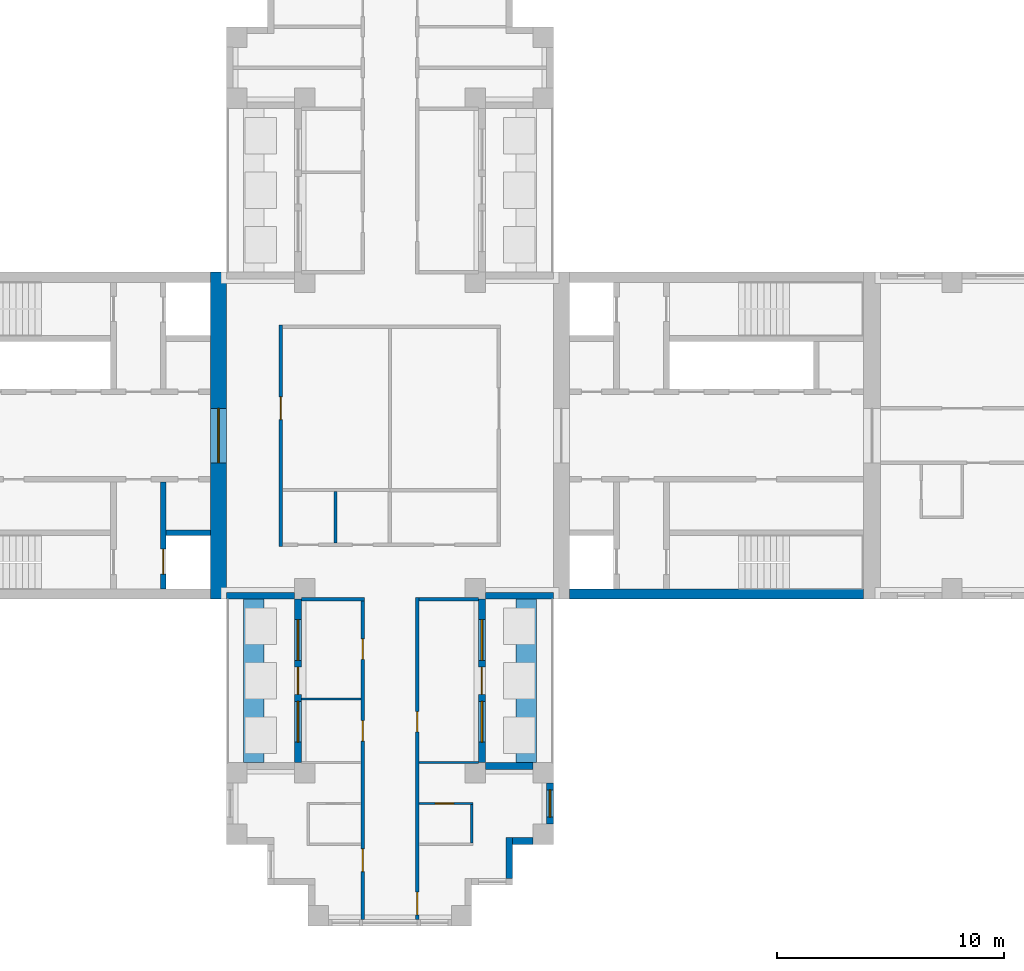
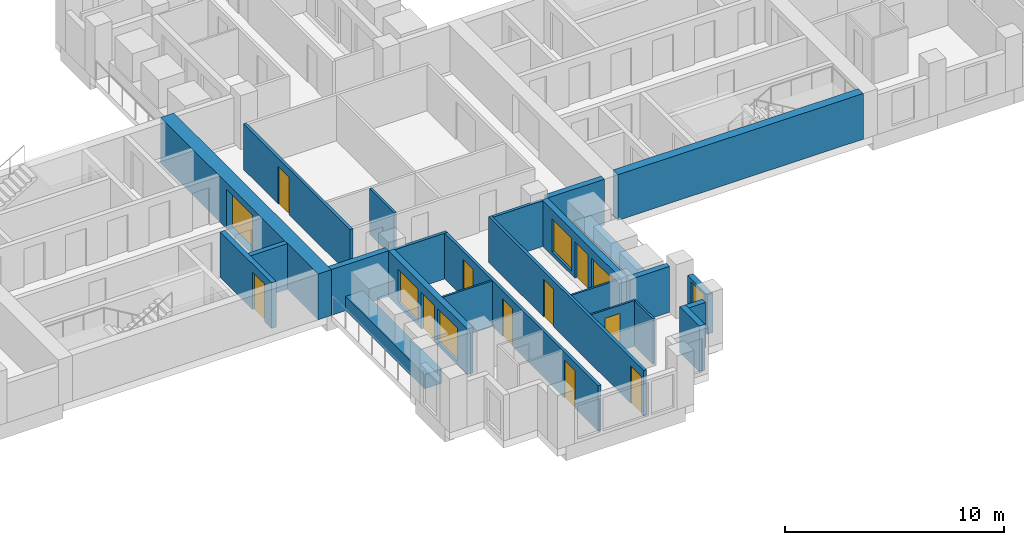
# One storey, part 5 of 12: 24 walls, 11 doors, 5 windows, 16 openings.
"""IFC4 building model written with IfcOpenShell, lengths in metres."""

from ifc_helpers import new_model, si_unit, direction, frame, frame_2d, origin, place, context, subcontext, project, spatial, rectangle, extrude, material, layer, layer_set, type_object, element, fill, save


model = new_model("IFC4")

# Units and contexts
model_context = context("Model", 3, precision=1e-05, world=origin(), true_north=direction((0.0, 1.0)))
body_context = subcontext(model_context, "Body", "Model", "MODEL_VIEW")
ifc_project = project(units=[si_unit("LENGTHUNIT", "METRE"), si_unit("AREAUNIT", "SQUARE_METRE"), si_unit("VOLUMEUNIT", "CUBIC_METRE"), si_unit("PLANEANGLEUNIT", "RADIAN"), si_unit("MASSUNIT", "GRAM", prefix="KILO")], contexts=[model_context])

# Site, building, storey
site_placement = place(None, origin())
site = spatial("IfcSite", under=ifc_project, at=site_placement, CompositionType="ELEMENT")
building_placement = place(site_placement, origin())
building = spatial("IfcBuilding", under=site, at=building_placement, Name="Fustian Cross Tower", CompositionType="ELEMENT")
storey_placement = place(building_placement, frame((0.0, 0.0, 159.300048828125)))
storey = spatial("IfcBuildingStorey", under=building, at=storey_placement, Name="L50", CompositionType="ELEMENT", Elevation=159.300048828125)

# Wall, opening, door
ifc_material_1 = material(Name="Plasterboard on steel stud", Category="steel")
ifc_layer_1 = layer(ifc_material_1, 0.14990234375)
ifc_layer_set_1 = layer_set([ifc_layer_1], Name="Plasterboard on steel stud")
wall_type_1 = type_object("IfcWallType", Name="COMPARTMENT WALL 150 EI 60", PredefinedType="PARTITIONING", material=ifc_layer_set_1)
wall_1_placement = place(storey_placement, frame((-4.800048828125, -4.875, 0.0), z_axis=(0.0, 0.0, 1.0), x_axis=(0.0, 1.0, 0.0)))
wall_1 = element("IfcWall", 1, at=wall_1_placement, inside=storey, type_object=wall_type_1, Name="Partition 12", PredefinedType="PARTITIONING", context=body_context, shape_type="SweptSolid", body=[
    extrude(rectangle(XDim=9.75, YDim=0.14990234375, at=frame_2d((4.875, 0.0))), origin(), (0.0, 0.0, 1.0), 2.550048828125),
])
opening_1_placement = place(wall_1_placement, frame((5.574951171875, 0.0, 0.0)))
opening_1 = element("IfcOpeningElement", 2, at=opening_1_placement, cuts=wall_1, Name="Opening D22004", PredefinedType="OPENING", context=body_context, shape_type="SweptSolid", body=[
    extrude(rectangle(XDim=1.0, YDim=2.10009765625, at=frame_2d((0.5, 1.050048828125))), frame((0.0, 0.0849609375, 0.0), z_axis=(0.0, -1.0, 0.0), x_axis=(1.0, 0.0, 0.0)), (0.0, 0.0, 1.0), 0.169921875),
])
ifc_material_2 = material(Name="Timber fire door set", Category="wood")
door_type_1 = type_object("IfcDoorType", Name="FIRE SWING DOOR 1000 FD30S", OperationType="SINGLE_SWING_LEFT", PredefinedType="DOOR", material=ifc_material_2)
door_1_placement = place(opening_1_placement, frame((1.0, 0.0, 0.0), z_axis=(0.0, 0.0, 1.0), x_axis=(-1.0, 0.0, 0.0)))
door_1 = element("IfcDoor", 3, at=door_1_placement, inside=storey, type_object=door_type_1, Name="Door D22004", OperationType="SINGLE_SWING_RIGHT", OverallHeight=2.10009765625, OverallWidth=1.0, PredefinedType="DOOR", context=body_context, shape_type="SweptSolid", body=[
    extrude(rectangle(XDim=1.0, YDim=2.10009765625, at=frame_2d((0.5, 1.050048828125))), frame((0.0, 0.02490234375, 0.0), z_axis=(0.0, -1.0, 0.0), x_axis=(1.0, 0.0, 0.0)), (0.0, 0.0, 1.0), 0.050048828125),
])
fill(opening_1, door_1)

# Wall
wall_2_placement = place(storey_placement, frame((-3.89990234375, -7.199951171875, 0.0), z_axis=(0.0, 0.0, 1.0), x_axis=(1.0, 0.0, 0.0)))
element("IfcWall", 4, at=wall_2_placement, inside=storey, type_object=wall_type_1, Name="Partition 18", PredefinedType="PARTITIONING", context=body_context, shape_type="SweptSolid", body=[
    extrude(rectangle(XDim=2.77490234375, YDim=0.14990234375, at=frame_2d((1.387451171875, 0.0))), origin(), (0.0, 0.0, 1.0), 2.550048828125),
])

# Wall, openings, doors
wall_3_placement = place(storey_placement, frame((-1.199951171875, -21.300048828125, 0.0), z_axis=(0.0, 0.0, 1.0), x_axis=(0.0, 1.0, 0.0)))
wall_3 = element("IfcWall", 5, at=wall_3_placement, inside=storey, type_object=wall_type_1, Name="Partition 27", PredefinedType="PARTITIONING", context=body_context, shape_type="SweptSolid", body=[
    extrude(rectangle(XDim=14.025146484375, YDim=0.14990234375, at=frame_2d((7.0126953125, 0.0))), origin(), (0.0, 0.0, 1.0), 2.550048828125),
])
opening_2_placement = place(wall_3_placement, frame((7.85009765625, 0.0, 0.0)))
opening_2 = element("IfcOpeningElement", 6, at=opening_2_placement, cuts=wall_3, Name="Opening D22036", PredefinedType="OPENING", context=body_context, shape_type="SweptSolid", body=[
    extrude(rectangle(XDim=0.89990234375, YDim=2.10009765625, at=frame_2d((0.449951171875, 1.050048828125))), frame((0.0, 0.0849609375, 0.0), z_axis=(0.0, -1.0, 0.0), x_axis=(1.0, 0.0, 0.0)), (0.0, 0.0, 1.0), 0.169921875),
])
opening_3_placement = place(wall_3_placement, frame((11.449951171875, 0.0, 0.0)))
opening_3 = element("IfcOpeningElement", 7, at=opening_3_placement, cuts=wall_3, Name="Opening D22037", PredefinedType="OPENING", context=body_context, shape_type="SweptSolid", body=[
    extrude(rectangle(XDim=0.89990234375, YDim=2.10009765625, at=frame_2d((0.449951171875, 1.050048828125))), frame((0.0, 0.0849609375, 0.0), z_axis=(0.0, -1.0, 0.0), x_axis=(1.0, 0.0, 0.0)), (0.0, 0.0, 1.0), 0.169921875),
])
opening_4_placement = place(wall_3_placement, frame((2.10009765625, 0.0, 0.0)))
opening_4 = element("IfcOpeningElement", 8, at=opening_4_placement, cuts=wall_3, Name="Opening D22039", PredefinedType="OPENING", context=body_context, shape_type="SweptSolid", body=[
    extrude(rectangle(XDim=1.0, YDim=2.10009765625, at=frame_2d((0.5, 1.050048828125))), frame((0.0, 0.0849609375, 0.0), z_axis=(0.0, -1.0, 0.0), x_axis=(1.0, 0.0, 0.0)), (0.0, 0.0, 1.0), 0.169921875),
])
door_2_placement = place(opening_4_placement, origin())
door_2 = element("IfcDoor", 9, at=door_2_placement, inside=storey, type_object=door_type_1, Name="Door D22039", OperationType="SINGLE_SWING_RIGHT", OverallHeight=2.10009765625, OverallWidth=1.0, PredefinedType="DOOR", context=body_context, shape_type="SweptSolid", body=[
    extrude(rectangle(XDim=1.0, YDim=2.10009765625, at=frame_2d((0.5, 1.050048828125))), frame((0.0, 0.02490234375, 0.0), z_axis=(0.0, -1.0, 0.0), x_axis=(1.0, 0.0, 0.0)), (0.0, 0.0, 1.0), 0.050048828125),
])
fill(opening_4, door_2)
ifc_material_3 = material(Name="Timber fire door set", Category="wood")
door_type_2 = type_object("IfcDoorType", Name="FIRE SWING DOOR 900 FD30S", OperationType="SINGLE_SWING_LEFT", PredefinedType="DOOR", material=ifc_material_3)
door_3_placement = place(opening_2_placement, origin())
door_3 = element("IfcDoor", 10, at=door_3_placement, inside=storey, type_object=door_type_2, Name="Door D22036", OperationType="SINGLE_SWING_LEFT", OverallHeight=2.10009765625, OverallWidth=0.89990234375, PredefinedType="DOOR", context=body_context, shape_type="SweptSolid", body=[
    extrude(rectangle(XDim=0.89990234375, YDim=2.10009765625, at=frame_2d((0.449951171875, 1.050048828125))), frame((0.0, 0.02490234375, 0.0), z_axis=(0.0, -1.0, 0.0), x_axis=(1.0, 0.0, 0.0)), (0.0, 0.0, 1.0), 0.050048828125),
])
fill(opening_2, door_3)
door_4_placement = place(opening_3_placement, origin())
door_4 = element("IfcDoor", 11, at=door_4_placement, inside=storey, type_object=door_type_2, Name="Door D22037", OperationType="SINGLE_SWING_LEFT", OverallHeight=2.10009765625, OverallWidth=0.89990234375, PredefinedType="DOOR", context=body_context, shape_type="SweptSolid", body=[
    extrude(rectangle(XDim=0.89990234375, YDim=2.10009765625, at=frame_2d((0.449951171875, 1.050048828125))), frame((0.0, 0.02490234375, 0.0), z_axis=(0.0, -1.0, 0.0), x_axis=(1.0, 0.0, 0.0)), (0.0, 0.0, 1.0), 0.050048828125),
])
fill(opening_3, door_4)

wall_4_placement = place(storey_placement, frame((1.199951171875, -21.300048828125, 0.0), z_axis=(0.0, 0.0, 1.0), x_axis=(0.0, 1.0, 0.0)))
wall_4 = element("IfcWall", 12, at=wall_4_placement, inside=storey, type_object=wall_type_1, Name="Partition 32", PredefinedType="PARTITIONING", context=body_context, shape_type="SweptSolid", body=[
    extrude(rectangle(XDim=14.175048828125, YDim=0.14990234375, at=frame_2d((7.08740234375, 0.0))), origin(), (0.0, 0.0, 1.0), 2.550048828125),
])
opening_5_placement = place(wall_4_placement, frame((8.25, 0.0, 0.0)))
opening_5 = element("IfcOpeningElement", 13, at=opening_5_placement, cuts=wall_4, Name="Opening D22033", PredefinedType="OPENING", context=body_context, shape_type="SweptSolid", body=[
    extrude(rectangle(XDim=0.89990234375, YDim=2.10009765625, at=frame_2d((0.449951171875, 1.050048828125))), frame((0.0, 0.0849609375, 0.0), z_axis=(0.0, -1.0, 0.0), x_axis=(1.0, 0.0, 0.0)), (0.0, 0.0, 1.0), 0.169921875),
])
opening_6_placement = place(wall_4_placement, frame((0.199951171875, 0.0, 0.0)))
opening_6 = element("IfcOpeningElement", 14, at=opening_6_placement, cuts=wall_4, Name="Opening D22035", PredefinedType="OPENING", context=body_context, shape_type="SweptSolid", body=[
    extrude(rectangle(XDim=1.0, YDim=2.10009765625, at=frame_2d((0.5, 1.050048828125))), frame((0.0, 0.0849609375, 0.0), z_axis=(0.0, -1.0, 0.0), x_axis=(1.0, 0.0, 0.0)), (0.0, 0.0, 1.0), 0.169921875),
])
door_5_placement = place(opening_6_placement, frame((1.0, 0.0, 0.0), z_axis=(0.0, 0.0, 1.0), x_axis=(-1.0, 0.0, 0.0)))
door_5 = element("IfcDoor", 15, at=door_5_placement, inside=storey, type_object=door_type_1, Name="Door D22035", OperationType="SINGLE_SWING_RIGHT", OverallHeight=2.10009765625, OverallWidth=1.0, PredefinedType="DOOR", context=body_context, shape_type="SweptSolid", body=[
    extrude(rectangle(XDim=1.0, YDim=2.10009765625, at=frame_2d((0.5, 1.050048828125))), frame((0.0, 0.02490234375, 0.0), z_axis=(0.0, -1.0, 0.0), x_axis=(1.0, 0.0, 0.0)), (0.0, 0.0, 1.0), 0.050048828125),
])
fill(opening_6, door_5)
door_6_placement = place(opening_5_placement, frame((0.89990234375, 0.0, 0.0), z_axis=(0.0, 0.0, 1.0), x_axis=(-1.0, 0.0, 0.0)))
door_6 = element("IfcDoor", 16, at=door_6_placement, inside=storey, type_object=door_type_2, Name="Door D22033", OperationType="SINGLE_SWING_RIGHT", OverallHeight=2.10009765625, OverallWidth=0.89990234375, PredefinedType="DOOR", context=body_context, shape_type="SweptSolid", body=[
    extrude(rectangle(XDim=0.89990234375, YDim=2.10009765625, at=frame_2d((0.449951171875, 1.050048828125))), frame((0.0, 0.02490234375, 0.0), z_axis=(0.0, -1.0, 0.0), x_axis=(1.0, 0.0, 0.0)), (0.0, 0.0, 1.0), 0.050048828125),
])
fill(opening_5, door_6)

# Wall
wall_5_placement = place(storey_placement, frame((1.27490234375, -7.199951171875, 0.0), z_axis=(0.0, 0.0, 1.0), x_axis=(1.0, 0.0, 0.0)))
element("IfcWall", 17, at=wall_5_placement, inside=storey, type_object=wall_type_1, Name="Partition 36", PredefinedType="PARTITIONING", context=body_context, shape_type="SweptSolid", body=[
    extrude(rectangle(XDim=2.625, YDim=0.14990234375, at=frame_2d((1.3125, 0.0))), origin(), (0.0, 0.0, 1.0), 2.550048828125),
])

# Wall, opening, door
ifc_material_4 = material(Name="Concrete C60/75", Category="concrete")
ifc_layer_2 = layer(ifc_material_4, 0.699951171875)
ifc_layer_set_2 = layer_set([ifc_layer_2], Name="Concrete C60/75")
wall_type_2 = type_object("IfcWallType", Name="CORE END WALL 700 C60/75", PredefinedType="SHEAR", material=ifc_layer_set_2)
wall_6_placement = place(storey_placement, frame((-7.550048828125, -7.199951171875, 0.0), z_axis=(0.0, 0.0, 1.0), x_axis=(0.0, 1.0, 0.0)))
wall_6 = element("IfcWall", 18, at=wall_6_placement, inside=storey, type_object=wall_type_2, Name="Core end wall", PredefinedType="SHEAR", context=body_context, shape_type="SweptSolid", body=[
    extrude(rectangle(XDim=14.39990234375, YDim=0.699951171875, at=frame_2d((7.199951171875, 0.0))), origin(), (0.0, 0.0, 1.0), 2.550048828125),
])
opening_7_placement = place(wall_6_placement, frame((6.0, 0.0, 0.0)))
opening_7 = element("IfcOpeningElement", 19, at=opening_7_placement, cuts=wall_6, Name="Opening CD-19-27", PredefinedType="OPENING", context=body_context, shape_type="SweptSolid", body=[
    extrude(rectangle(XDim=2.39990234375, YDim=2.199951171875, at=frame_2d((1.199951171875, 1.10009765625))), frame((0.0, 0.35986328125, 0.0), z_axis=(0.0, -1.0, 0.0), x_axis=(1.0, 0.0, 0.0)), (0.0, 0.0, 1.0), 0.719970703125),
])
ifc_material_5 = material(Name="Steel", Category="steel")
door_type_3 = type_object("IfcDoorType", Name="FIRE DOOR FD30S DOUBLE 2400X2200", OperationType="DOUBLE_DOOR_DOUBLE_SWING", PredefinedType="DOOR", material=ifc_material_5)
door_7_placement = place(opening_7_placement, origin())
door_7 = element("IfcDoor", 20, at=door_7_placement, inside=storey, type_object=door_type_3, Name="Core door CD-19-27", OperationType="DOUBLE_DOOR_DOUBLE_SWING", OverallHeight=2.199951171875, OverallWidth=2.39990234375, PredefinedType="DOOR", context=body_context, shape_type="SweptSolid", body=[
    extrude(rectangle(XDim=2.39990234375, YDim=2.199951171875, at=frame_2d((1.199951171875, 1.10009765625))), frame((0.0, 0.02490234375, 0.0), z_axis=(0.0, -1.0, 0.0), x_axis=(1.0, 0.0, 0.0)), (0.0, 0.0, 1.0), 0.050048828125),
])
fill(opening_7, door_7)

# Walls
ifc_material_6 = material(Name="Concrete C60/75", Category="concrete")
ifc_layer_3 = layer(ifc_material_6, 0.449951171875)
ifc_layer_set_3 = layer_set([ifc_layer_3], Name="Concrete C60/75")
wall_type_3 = type_object("IfcWallType", Name="CORE FACADE WALL 450 C60/75", PredefinedType="SHEAR", material=ifc_layer_set_3)
wall_7_placement = place(storey_placement, frame((7.89990234375, -6.97509765625, 0.0), z_axis=(0.0, 0.0, 1.0), x_axis=(1.0, 0.0, 0.0)))
element("IfcWall", 21, at=wall_7_placement, inside=storey, type_object=wall_type_3, Name="Core facade wall", PredefinedType="SHEAR", context=body_context, shape_type="SweptSolid", body=[
    extrude(rectangle(XDim=12.9501953125, YDim=0.449951171875, at=frame_2d((6.47509765625, 0.0))), origin(), (0.0, 0.0, 1.0), 2.550048828125),
])
ifc_material_7 = material(Name="Concrete C50/60", Category="concrete")
ifc_layer_4 = layer(ifc_material_7, 0.25)
ifc_layer_set_4 = layer_set([ifc_layer_4], Name="Concrete C50/60")
wall_type_4 = type_object("IfcWallType", Name="CORE SHAFT WALL 250 C50/60", PredefinedType="SHEAR", material=ifc_layer_set_4)
wall_8_placement = place(storey_placement, frame((-7.89990234375, -4.27490234375, 0.0), z_axis=(0.0, 0.0, 1.0), x_axis=(-1.0, 0.0, 0.0)))
element("IfcWall", 22, at=wall_8_placement, inside=storey, type_object=wall_type_4, Name="Core shaft wall", PredefinedType="SHEAR", context=body_context, shape_type="SweptSolid", body=[
    extrude(rectangle(XDim=1.9501953125, YDim=0.25, at=frame_2d((0.97509765625, 0.0))), origin(), (0.0, 0.0, 1.0), 2.550048828125),
])

# Wall, opening, door
wall_9_placement = place(storey_placement, frame((-9.97509765625, -2.050048828125, 0.0), z_axis=(0.0, 0.0, 1.0), x_axis=(0.0, -1.0, 0.0)))
wall_9 = element("IfcWall", 23, at=wall_9_placement, inside=storey, type_object=wall_type_4, Name="Core shaft wall", PredefinedType="SHEAR", context=body_context, shape_type="SweptSolid", body=[
    extrude(rectangle(XDim=4.699951171875, YDim=0.25, at=frame_2d((2.35009765625, 0.0))), origin(), (0.0, 0.0, 1.0), 2.550048828125),
])
opening_8_placement = place(wall_9_placement, frame((2.949951171875, 0.0, 0.0)))
opening_8 = element("IfcOpeningElement", 24, at=opening_8_placement, cuts=wall_9, Name="Opening LD", PredefinedType="OPENING", context=body_context, shape_type="SweptSolid", body=[
    extrude(rectangle(XDim=1.10009765625, YDim=2.10009765625, at=frame_2d((0.550048828125, 1.050048828125))), frame((0.0, 0.135009765625, 0.0), z_axis=(0.0, -1.0, 0.0), x_axis=(1.0, 0.0, 0.0)), (0.0, 0.0, 1.0), 0.27001953125),
])
ifc_material_8 = material(Name="Stainless steel", Category="steel")
door_type_4 = type_object("IfcDoorType", Name="LIFT LANDING DOOR 1100X2100", OperationType="SLIDING_TO_LEFT", PredefinedType="DOOR", material=ifc_material_8)
door_8_placement = place(opening_8_placement, origin())
door_8 = element("IfcDoor", 25, at=door_8_placement, inside=storey, type_object=door_type_4, Name="Landing door SV1W", OperationType="SLIDING_TO_LEFT", OverallHeight=2.10009765625, OverallWidth=1.10009765625, PredefinedType="DOOR", context=body_context, shape_type="SweptSolid", body=[
    extrude(rectangle(XDim=1.10009765625, YDim=2.10009765625, at=frame_2d((0.550048828125, 1.050048828125))), frame((0.0, 0.02490234375, 0.0), z_axis=(0.0, -1.0, 0.0), x_axis=(1.0, 0.0, 0.0)), (0.0, 0.0, 1.0), 0.050048828125),
])
fill(opening_8, door_8)

# Wall
ifc_material_9 = material(Name="Plasterboard on steel stud", Category="steel")
ifc_layer_5 = layer(ifc_material_9, 0.10009765625)
ifc_layer_set_5 = layer_set([ifc_layer_5], Name="Plasterboard on steel stud")
wall_type_5 = type_object("IfcWallType", Name="PARTITION 100 STUD", PredefinedType="PARTITIONING", material=ifc_layer_set_5)
wall_10_placement = place(storey_placement, frame((-3.89990234375, -11.60009765625, 0.0), z_axis=(0.0, 0.0, 1.0), x_axis=(1.0, 0.0, 0.0)))
element("IfcWall", 26, at=wall_10_placement, inside=storey, type_object=wall_type_5, Name="Partition 17", PredefinedType="PARTITIONING", context=body_context, shape_type="SweptSolid", body=[
    extrude(rectangle(XDim=2.625, YDim=0.10009765625, at=frame_2d((1.3125, 0.0))), origin(), (0.0, 0.0, 1.0), 2.550048828125),
])

# Wall, opening, door
wall_11_placement = place(storey_placement, frame((1.27490234375, -16.199951171875, 0.0), z_axis=(0.0, 0.0, 1.0), x_axis=(1.0, 0.0, 0.0)))
wall_11 = element("IfcWall", 27, at=wall_11_placement, inside=storey, type_object=wall_type_5, Name="Partition 34", PredefinedType="PARTITIONING", context=body_context, shape_type="SweptSolid", body=[
    extrude(rectangle(XDim=2.375, YDim=0.10009765625, at=frame_2d((1.1875, 0.0))), origin(), (0.0, 0.0, 1.0), 2.550048828125),
])
opening_9_placement = place(wall_11_placement, frame((0.72509765625, 0.0, 0.0)))
opening_9 = element("IfcOpeningElement", 28, at=opening_9_placement, cuts=wall_11, Name="Opening D22034", PredefinedType="OPENING", context=body_context, shape_type="SweptSolid", body=[
    extrude(rectangle(XDim=0.800048828125, YDim=2.10009765625, at=frame_2d((0.39990234375, 1.050048828125))), frame((0.0, 0.06005859375, 0.0), z_axis=(0.0, -1.0, 0.0), x_axis=(1.0, 0.0, 0.0)), (0.0, 0.0, 1.0), 0.1201171875),
])
ifc_material_10 = material(Name="Painted timber", Category="wood")
door_type_5 = type_object("IfcDoorType", Name="SWING DOOR 800", OperationType="SINGLE_SWING_LEFT", PredefinedType="DOOR", material=ifc_material_10)
door_9_placement = place(opening_9_placement, frame((0.800048828125, 0.0, 0.0), z_axis=(0.0, 0.0, 1.0), x_axis=(-1.0, 0.0, 0.0)))
door_9 = element("IfcDoor", 29, at=door_9_placement, inside=storey, type_object=door_type_5, Name="Door D22034", OperationType="SINGLE_SWING_RIGHT", OverallHeight=2.10009765625, OverallWidth=0.800048828125, PredefinedType="DOOR", context=body_context, shape_type="SweptSolid", body=[
    extrude(rectangle(XDim=0.800048828125, YDim=2.10009765625, at=frame_2d((0.39990234375, 1.050048828125))), frame((0.0, 0.02490234375, 0.0), z_axis=(0.0, -1.0, 0.0), x_axis=(1.0, 0.0, 0.0)), (0.0, 0.0, 1.0), 0.050048828125),
])
fill(opening_9, door_9)

# Walls
wall_12_placement = place(storey_placement, frame((1.27490234375, -14.39990234375, 0.0), z_axis=(0.0, 0.0, 1.0), x_axis=(1.0, 0.0, 0.0)))
element("IfcWall", 30, at=wall_12_placement, inside=storey, type_object=wall_type_5, Name="Partition 35", PredefinedType="PARTITIONING", context=body_context, shape_type="SweptSolid", body=[
    extrude(rectangle(XDim=2.625, YDim=0.10009765625, at=frame_2d((1.3125, 0.0))), origin(), (0.0, 0.0, 1.0), 2.550048828125),
])
wall_13_placement = place(storey_placement, frame((3.60009765625, -17.949951171875, 0.0), z_axis=(0.0, 0.0, 1.0), x_axis=(0.0, 1.0, 0.0)))
element("IfcWall", 31, at=wall_13_placement, inside=storey, type_object=wall_type_5, Name="Partition 43", PredefinedType="PARTITIONING", context=body_context, shape_type="SweptSolid", body=[
    extrude(rectangle(XDim=1.699951171875, YDim=0.10009765625, at=frame_2d((0.85009765625, 0.0))), origin(), (0.0, 0.0, 1.0), 2.550048828125),
])
ifc_material_11 = material(Name="Concrete C40/50", Category="concrete")
ifc_layer_6 = layer(ifc_material_11, 0.89990234375)
ifc_layer_set_6 = layer_set([ifc_layer_6], Name="Concrete C40/50")
wall_type_6 = type_object("IfcWallType", Name="PK1 PLANTER 900", PredefinedType="PARAPET", material=ifc_layer_set_6)
for number, where, z_axis, x_axis, name in (
    (32, (6.0, -14.39990234375, 0.0), (0.0, 0.0, 1.0), (0.0, 1.0, 0.0), "PLANTER"),
    (33, (-6.0, -14.39990234375, 0.0), (0.0, 0.0, 1.0), (0.0, 1.0, 0.0), "PLANTER"),
):
    element("IfcWall", number, at=place(storey_placement, frame(where, z_axis=z_axis, x_axis=x_axis)), inside=storey, type_object=wall_type_6, Name=name, PredefinedType="PARAPET", context=body_context, shape_type="SweptSolid", body=[
        extrude(rectangle(XDim=7.199951171875, YDim=0.89990234375, at=frame_2d((3.60009765625, 0.0))), origin(), (0.0, 0.0, 1.0), 0.800048828125),
    ])
ifc_material_12 = material(Name="Plasterboard on steel stud", Category="steel")
ifc_layer_7 = layer(ifc_material_12, 0.125)
ifc_layer_set_7 = layer_set([ifc_layer_7], Name="Plasterboard on steel stud")
wall_type_7 = type_object("IfcWallType", Name="WET WALL 125 STUD", PredefinedType="PARTITIONING", material=ifc_layer_set_7)
wall_14_placement = place(storey_placement, frame((-2.39990234375, -4.72509765625, 0.0), z_axis=(0.0, 0.0, 1.0), x_axis=(0.0, 1.0, 0.0)))
element("IfcWall", 34, at=wall_14_placement, inside=storey, type_object=wall_type_7, Name="Partition 26", PredefinedType="PARTITIONING", context=body_context, shape_type="SweptSolid", body=[
    extrude(rectangle(XDim=2.2626953125, YDim=0.125, at=frame_2d((1.13134765625, 0.0))), origin(), (0.0, 0.0, 1.0), 2.550048828125),
])
ifc_material_13 = material(Name="Dark aluminium cladding on insulated backing wall", Category="aluminium")
ifc_layer_8 = layer(ifc_material_13, 0.300048828125)
ifc_layer_set_8 = layer_set([ifc_layer_8], Name="Dark aluminium cladding on insulated backing wall")
wall_type_8 = type_object("IfcWallType", Name="XW1 EXTERNAL WALL 300", PredefinedType="SOLIDWALL", material=ifc_layer_set_8)
wall_15_placement = place(storey_placement, frame((-7.199951171875, -7.050048828125, 0.0), z_axis=(0.0, 0.0, 1.0), x_axis=(1.0, 0.0, 0.0)))
element("IfcWall", 35, at=wall_15_placement, inside=storey, type_object=wall_type_8, Name="External wall", PredefinedType="SOLIDWALL", context=body_context, shape_type="SweptSolid", body=[
    extrude(rectangle(XDim=3.0, YDim=0.300048828125, at=frame_2d((1.5, 0.0))), origin(), (0.0, 0.0, 1.0), 2.550048828125),
])

# Wall, openings, door, windows
wall_16_placement = place(storey_placement, frame((-4.050048828125, -7.199951171875, 0.0), z_axis=(0.0, 0.0, 1.0), x_axis=(0.0, -1.0, 0.0)))
wall_16 = element("IfcWall", 36, at=wall_16_placement, inside=storey, type_object=wall_type_8, Name="External wall", PredefinedType="SOLIDWALL", context=body_context, shape_type="SweptSolid", body=[
    extrude(rectangle(XDim=7.199951171875, YDim=0.300048828125, at=frame_2d((3.60009765625, 0.0))), origin(), (0.0, 0.0, 1.0), 2.550048828125),
])
opening_10_placement = place(wall_16_placement, frame((3.0, 0.0, 0.0)))
opening_10 = element("IfcOpeningElement", 37, at=opening_10_placement, cuts=wall_16, Name="Opening XD4", PredefinedType="OPENING", context=body_context, shape_type="SweptSolid", body=[
    extrude(rectangle(XDim=1.199951171875, YDim=2.050048828125, at=frame_2d((0.60009765625, 1.02490234375))), frame((0.0, 0.159912109375, 0.0), z_axis=(0.0, -1.0, 0.0), x_axis=(1.0, 0.0, 0.0)), (0.0, 0.0, 1.0), 0.320068359375),
])
opening_11_placement = place(wall_16_placement, frame((0.89990234375, 0.0, 0.199951171875)))
opening_11 = element("IfcOpeningElement", 38, at=opening_11_placement, cuts=wall_16, Name="Opening WN2", PredefinedType="OPENING", context=body_context, shape_type="SweptSolid", body=[
    extrude(rectangle(XDim=1.800048828125, YDim=1.85009765625, at=frame_2d((0.89990234375, 0.925048828125))), frame((0.0, 0.159912109375, 0.0), z_axis=(0.0, -1.0, 0.0), x_axis=(1.0, 0.0, 0.0)), (0.0, 0.0, 1.0), 0.320068359375),
])
opening_12_placement = place(wall_16_placement, frame((4.5, 0.0, 0.199951171875)))
opening_12 = element("IfcOpeningElement", 39, at=opening_12_placement, cuts=wall_16, Name="Opening WN2", PredefinedType="OPENING", context=body_context, shape_type="SweptSolid", body=[
    extrude(rectangle(XDim=1.800048828125, YDim=1.85009765625, at=frame_2d((0.89990234375, 0.925048828125))), frame((0.0, 0.159912109375, 0.0), z_axis=(0.0, -1.0, 0.0), x_axis=(1.0, 0.0, 0.0)), (0.0, 0.0, 1.0), 0.320068359375),
])
ifc_material_14 = material(Name="Dark anodised aluminium and double glazing", Category="aluminium")
door_type_6 = type_object("IfcDoorType", Name="ED1 BALCONY DOOR 1200X2050", OperationType="SINGLE_SWING_LEFT", PredefinedType="DOOR", material=ifc_material_14)
door_10_placement = place(opening_10_placement, origin())
door_10 = element("IfcDoor", 40, at=door_10_placement, inside=storey, type_object=door_type_6, Name="Balcony door", OperationType="SINGLE_SWING_LEFT", OverallHeight=2.050048828125, OverallWidth=1.199951171875, PredefinedType="DOOR", context=body_context, shape_type="SweptSolid", body=[
    extrude(rectangle(XDim=1.199951171875, YDim=2.050048828125, at=frame_2d((0.60009765625, 1.02490234375))), frame((0.0, 0.02490234375, 0.0), z_axis=(0.0, -1.0, 0.0), x_axis=(1.0, 0.0, 0.0)), (0.0, 0.0, 1.0), 0.050048828125),
])
fill(opening_10, door_10)
ifc_material_15 = material(Name="Dark anodised aluminium and double glazing", Category="aluminium")
window_type_1 = type_object("IfcWindowType", Name="WN2 WINDOW 1800X1850", PartitioningType="SINGLE_PANEL", PredefinedType="WINDOW", material=ifc_material_15)
window_1_placement = place(opening_11_placement, origin())
window_1 = element("IfcWindow", 41, at=window_1_placement, inside=storey, type_object=window_type_1, Name="Window", OverallHeight=1.85009765625, OverallWidth=1.800048828125, PartitioningType="SINGLE_PANEL", PredefinedType="WINDOW", context=body_context, shape_type="SweptSolid", body=[
    extrude(rectangle(XDim=1.800048828125, YDim=1.85009765625, at=frame_2d((0.89990234375, 0.925048828125))), frame((0.0, 0.030029296875, 0.0), z_axis=(0.0, -1.0, 0.0), x_axis=(1.0, 0.0, 0.0)), (0.0, 0.0, 1.0), 0.06005859375),
])
fill(opening_11, window_1)
window_2_placement = place(opening_12_placement, origin())
window_2 = element("IfcWindow", 42, at=window_2_placement, inside=storey, type_object=window_type_1, Name="Window", OverallHeight=1.85009765625, OverallWidth=1.800048828125, PartitioningType="SINGLE_PANEL", PredefinedType="WINDOW", context=body_context, shape_type="SweptSolid", body=[
    extrude(rectangle(XDim=1.800048828125, YDim=1.85009765625, at=frame_2d((0.89990234375, 0.925048828125))), frame((0.0, 0.030029296875, 0.0), z_axis=(0.0, -1.0, 0.0), x_axis=(1.0, 0.0, 0.0)), (0.0, 0.0, 1.0), 0.06005859375),
])
fill(opening_12, window_2)

# Walls
wall_17_placement = place(storey_placement, frame((5.25, -19.5, 0.0), z_axis=(0.0, 0.0, 1.0), x_axis=(0.0, 1.0, 0.0)))
element("IfcWall", 43, at=wall_17_placement, inside=storey, type_object=wall_type_8, Name="External wall", PredefinedType="SOLIDWALL", context=body_context, shape_type="SweptSolid", body=[
    extrude(rectangle(XDim=1.800048828125, YDim=0.300048828125, at=frame_2d((0.89990234375, 0.0))), origin(), (0.0, 0.0, 1.0), 2.550048828125),
])
wall_18_placement = place(storey_placement, frame((5.39990234375, -17.85009765625, 0.0), z_axis=(0.0, 0.0, 1.0), x_axis=(1.0, 0.0, 0.0)))
element("IfcWall", 44, at=wall_18_placement, inside=storey, type_object=wall_type_8, Name="External wall", PredefinedType="SOLIDWALL", context=body_context, shape_type="SweptSolid", body=[
    extrude(rectangle(XDim=0.900146484375, YDim=0.300048828125, at=frame_2d((0.4501953125, 0.0))), origin(), (0.0, 0.0, 1.0), 2.550048828125),
])

# Wall, opening, window
wall_19_placement = place(storey_placement, frame((7.050048828125, -17.10009765625, 0.0), z_axis=(0.0, 0.0, 1.0), x_axis=(0.0, 1.0, 0.0)))
wall_19 = element("IfcWall", 45, at=wall_19_placement, inside=storey, type_object=wall_type_8, Name="External wall", PredefinedType="SOLIDWALL", context=body_context, shape_type="SweptSolid", body=[
    extrude(rectangle(XDim=1.800048828125, YDim=0.300048828125, at=frame_2d((0.89990234375, 0.0))), origin(), (0.0, 0.0, 1.0), 2.199951171875),
])
opening_13_placement = place(wall_19_placement, frame((0.300048828125, 0.0, 0.199951171875)))
opening_13 = element("IfcOpeningElement", 46, at=opening_13_placement, cuts=wall_19, Name="Opening WN3", PredefinedType="OPENING", context=body_context, shape_type="SweptSolid", body=[
    extrude(rectangle(XDim=1.199951171875, YDim=1.85009765625, at=frame_2d((0.60009765625, 0.925048828125))), frame((0.0, 0.159912109375, 0.0), z_axis=(0.0, -1.0, 0.0), x_axis=(1.0, 0.0, 0.0)), (0.0, 0.0, 1.0), 0.320068359375),
])
ifc_material_16 = material(Name="Dark anodised aluminium and double glazing", Category="aluminium")
window_type_2 = type_object("IfcWindowType", Name="WN3 WINDOW 1200X1850", PartitioningType="SINGLE_PANEL", PredefinedType="WINDOW", material=ifc_material_16)
window_3_placement = place(opening_13_placement, origin())
window_3 = element("IfcWindow", 47, at=window_3_placement, inside=storey, type_object=window_type_2, Name="Window", OverallHeight=1.85009765625, OverallWidth=1.199951171875, PartitioningType="SINGLE_PANEL", PredefinedType="WINDOW", context=body_context, shape_type="SweptSolid", body=[
    extrude(rectangle(XDim=1.199951171875, YDim=1.85009765625, at=frame_2d((0.60009765625, 0.925048828125))), frame((0.0, 0.030029296875, 0.0), z_axis=(0.0, -1.0, 0.0), x_axis=(1.0, 0.0, 0.0)), (0.0, 0.0, 1.0), 0.06005859375),
])
fill(opening_13, window_3)

# Wall
wall_20_placement = place(storey_placement, frame((6.300048828125, -14.550048828125, 0.0), z_axis=(0.0, 0.0, 1.0), x_axis=(-1.0, 0.0, 0.0)))
element("IfcWall", 48, at=wall_20_placement, inside=storey, type_object=wall_type_8, Name="External wall", PredefinedType="SOLIDWALL", context=body_context, shape_type="SweptSolid", body=[
    extrude(rectangle(XDim=2.10009765625, YDim=0.300048828125, at=frame_2d((1.050048828125, 0.0))), origin(), (0.0, 0.0, 1.0), 2.550048828125),
])

# Wall, openings, door, windows
wall_21_placement = place(storey_placement, frame((4.050048828125, -14.39990234375, 0.0), z_axis=(0.0, 0.0, 1.0), x_axis=(0.0, 1.0, 0.0)))
wall_21 = element("IfcWall", 49, at=wall_21_placement, inside=storey, type_object=wall_type_8, Name="External wall", PredefinedType="SOLIDWALL", context=body_context, shape_type="SweptSolid", body=[
    extrude(rectangle(XDim=7.199951171875, YDim=0.300048828125, at=frame_2d((3.60009765625, 0.0))), origin(), (0.0, 0.0, 1.0), 2.550048828125),
])
opening_14_placement = place(wall_21_placement, frame((3.0, 0.0, 0.0)))
opening_14 = element("IfcOpeningElement", 50, at=opening_14_placement, cuts=wall_21, Name="Opening XD3", PredefinedType="OPENING", context=body_context, shape_type="SweptSolid", body=[
    extrude(rectangle(XDim=1.199951171875, YDim=2.050048828125, at=frame_2d((0.60009765625, 1.02490234375))), frame((0.0, 0.159912109375, 0.0), z_axis=(0.0, -1.0, 0.0), x_axis=(1.0, 0.0, 0.0)), (0.0, 0.0, 1.0), 0.320068359375),
])
opening_15_placement = place(wall_21_placement, frame((0.89990234375, 0.0, 0.199951171875)))
opening_15 = element("IfcOpeningElement", 51, at=opening_15_placement, cuts=wall_21, Name="Opening WN2", PredefinedType="OPENING", context=body_context, shape_type="SweptSolid", body=[
    extrude(rectangle(XDim=1.800048828125, YDim=1.85009765625, at=frame_2d((0.89990234375, 0.925048828125))), frame((0.0, 0.159912109375, 0.0), z_axis=(0.0, -1.0, 0.0), x_axis=(1.0, 0.0, 0.0)), (0.0, 0.0, 1.0), 0.320068359375),
])
opening_16_placement = place(wall_21_placement, frame((4.5, 0.0, 0.199951171875)))
opening_16 = element("IfcOpeningElement", 52, at=opening_16_placement, cuts=wall_21, Name="Opening WN2", PredefinedType="OPENING", context=body_context, shape_type="SweptSolid", body=[
    extrude(rectangle(XDim=1.800048828125, YDim=1.85009765625, at=frame_2d((0.89990234375, 0.925048828125))), frame((0.0, 0.159912109375, 0.0), z_axis=(0.0, -1.0, 0.0), x_axis=(1.0, 0.0, 0.0)), (0.0, 0.0, 1.0), 0.320068359375),
])
door_11_placement = place(opening_14_placement, origin())
door_11 = element("IfcDoor", 53, at=door_11_placement, inside=storey, type_object=door_type_6, Name="Balcony door", OperationType="SINGLE_SWING_LEFT", OverallHeight=2.050048828125, OverallWidth=1.199951171875, PredefinedType="DOOR", context=body_context, shape_type="SweptSolid", body=[
    extrude(rectangle(XDim=1.199951171875, YDim=2.050048828125, at=frame_2d((0.60009765625, 1.02490234375))), frame((0.0, 0.02490234375, 0.0), z_axis=(0.0, -1.0, 0.0), x_axis=(1.0, 0.0, 0.0)), (0.0, 0.0, 1.0), 0.050048828125),
])
fill(opening_14, door_11)
window_4_placement = place(opening_15_placement, origin())
window_4 = element("IfcWindow", 54, at=window_4_placement, inside=storey, type_object=window_type_1, Name="Window", OverallHeight=1.85009765625, OverallWidth=1.800048828125, PartitioningType="SINGLE_PANEL", PredefinedType="WINDOW", context=body_context, shape_type="SweptSolid", body=[
    extrude(rectangle(XDim=1.800048828125, YDim=1.85009765625, at=frame_2d((0.89990234375, 0.925048828125))), frame((0.0, 0.030029296875, 0.0), z_axis=(0.0, -1.0, 0.0), x_axis=(1.0, 0.0, 0.0)), (0.0, 0.0, 1.0), 0.06005859375),
])
fill(opening_15, window_4)
window_5_placement = place(opening_16_placement, origin())
window_5 = element("IfcWindow", 55, at=window_5_placement, inside=storey, type_object=window_type_1, Name="Window", OverallHeight=1.85009765625, OverallWidth=1.800048828125, PartitioningType="SINGLE_PANEL", PredefinedType="WINDOW", context=body_context, shape_type="SweptSolid", body=[
    extrude(rectangle(XDim=1.800048828125, YDim=1.85009765625, at=frame_2d((0.89990234375, 0.925048828125))), frame((0.0, 0.030029296875, 0.0), z_axis=(0.0, -1.0, 0.0), x_axis=(1.0, 0.0, 0.0)), (0.0, 0.0, 1.0), 0.06005859375),
])
fill(opening_16, window_5)

# Wall
wall_22_placement = place(storey_placement, frame((4.199951171875, -7.050048828125, 0.0), z_axis=(0.0, 0.0, 1.0), x_axis=(1.0, 0.0, 0.0)))
element("IfcWall", 56, at=wall_22_placement, inside=storey, type_object=wall_type_8, Name="External wall", PredefinedType="SOLIDWALL", context=body_context, shape_type="SweptSolid", body=[
    extrude(rectangle(XDim=3.0, YDim=0.300048828125, at=frame_2d((1.5, 0.0))), origin(), (0.0, 0.0, 1.0), 2.550048828125),
])

save(model, "model.ifc")
